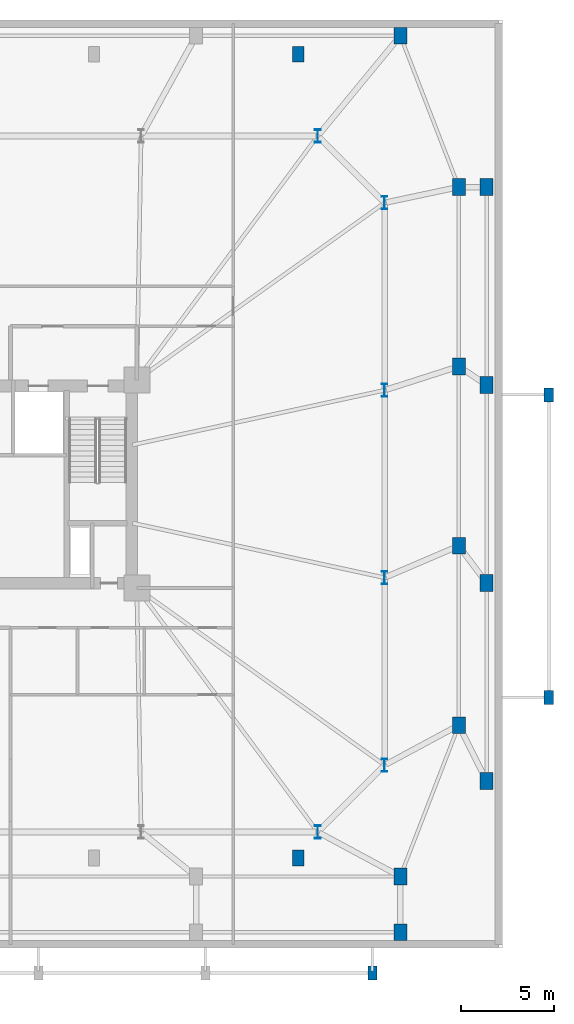
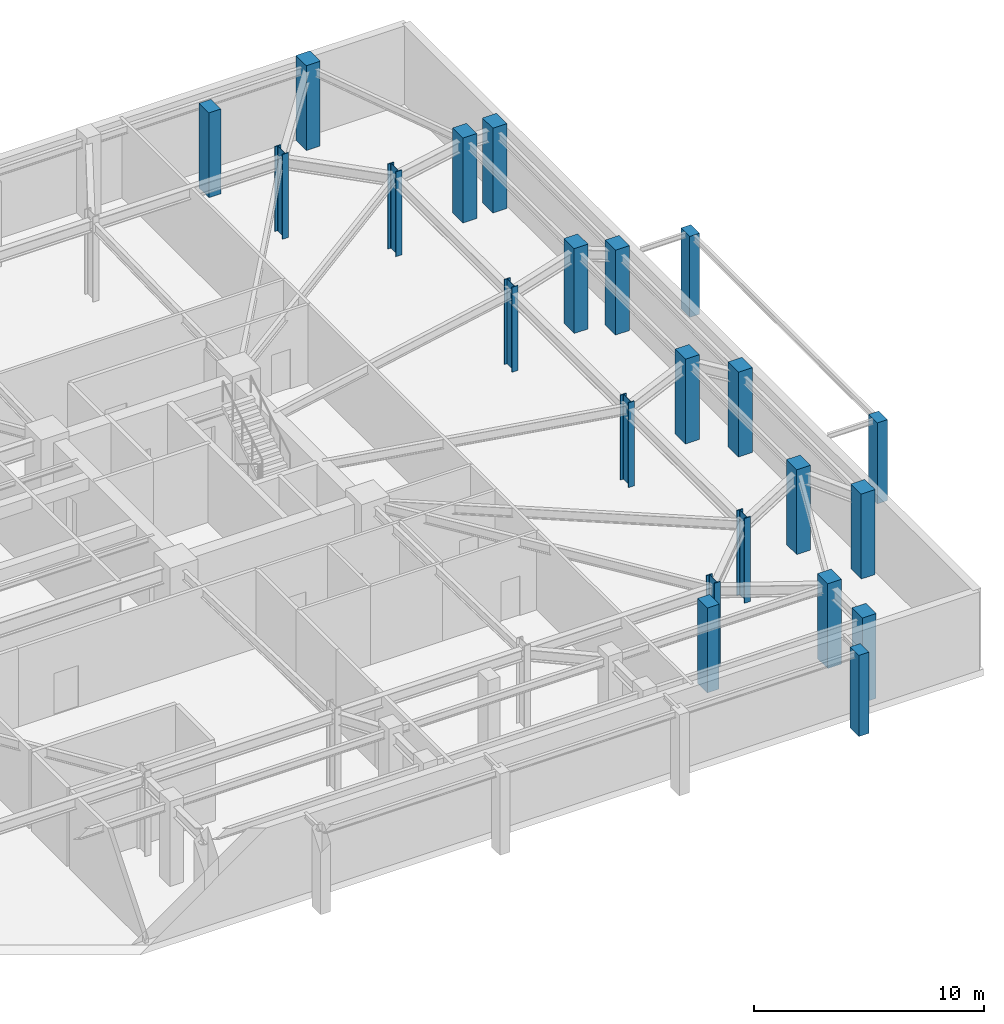
# One storey, part 4 of 14: 22 columns.
"""IFC4 building model written with IfcOpenShell, lengths in metres."""

from ifc_helpers import new_model, si_unit, direction, frame, origin, origin_2d, place, context, subcontext, project, spatial, rectangle, i_section, extrude, material, material_profile, profile_set, type_object, element, save


model = new_model("IFC4")

# Units and contexts
model_context = context("Model", 3, precision=1e-05, world=origin(), true_north=direction((0.0, 1.0)))
body_context = subcontext(model_context, "Body", "Model", "MODEL_VIEW")
ifc_project = project(units=[si_unit("LENGTHUNIT", "METRE"), si_unit("AREAUNIT", "SQUARE_METRE"), si_unit("VOLUMEUNIT", "CUBIC_METRE"), si_unit("PLANEANGLEUNIT", "RADIAN"), si_unit("MASSUNIT", "GRAM", prefix="KILO")], contexts=[model_context])

# Site, building, storey
site_placement = place(None, origin())
site = spatial("IfcSite", under=ifc_project, at=site_placement, CompositionType="ELEMENT")
building_placement = place(site_placement, origin())
building = spatial("IfcBuilding", under=site, at=building_placement, Name="Qobustan Lattice House", CompositionType="ELEMENT")
storey_placement = place(building_placement, frame((0.0, 0.0, -4.5)))
storey = spatial("IfcBuildingStorey", under=building, at=storey_placement, Name="B01", CompositionType="ELEMENT", Elevation=-4.5)

# Columns
ifc_material_1 = material(Name="Concrete C50/60", Category="concrete")
ifc_material_profile_1 = material_profile(ifc_material_1, rectangle(XDim=0.5, YDim=0.75, at=origin_2d()), Name="RC500x750")
ifc_profile_set_1 = profile_set([ifc_material_profile_1], Name="Concrete C50/60")
column_type_1 = type_object("IfcColumnType", Name="COL-PIER-500x750", PredefinedType="USERDEFINED", material=ifc_profile_set_1)
for number, where, z_axis, x_axis, name in (
    (1, (41.0, -11.5, 0.0), (0.0, 0.0, 1.0), (1.0, 0.0, 0.0), "B01 arrival portico pier E1"),
    (2, (41.0, 4.800048828125, 0.0), (0.0, 0.0, 1.0), (1.0, 0.0, 0.0), "B01 arrival portico pier E2"),
    (3, (31.5, -26.35009765625, 0.0), (0.0, 0.0, 1.0), (1.0, 0.0, 0.0), "B01 entrance canopy pier PR-08"),
):
    element("IfcColumn", number, at=place(storey_placement, frame(where, z_axis=z_axis, x_axis=x_axis)), inside=storey, type_object=column_type_1, Name=name, ObjectType="PIER", PredefinedType="USERDEFINED", context=body_context, shape_type="SweptSolid", body=[
        extrude(rectangle(XDim=0.5, YDim=0.75, at=origin_2d()), origin(), (0.0, 0.0, 1.0), 4.300048828125),
    ])
ifc_material_2 = material(Name="Concrete C50/60", Category="concrete")
ifc_material_profile_2 = material_profile(ifc_material_2, rectangle(XDim=0.60009765625, YDim=0.85009765625, at=origin_2d()), Name="RC600x850")
ifc_profile_set_2 = profile_set([ifc_material_profile_2], Name="Concrete C50/60")
column_type_2 = type_object("IfcColumnType", Name="COL-PIL-600x850", PredefinedType="PILASTER", material=ifc_profile_set_2)
for number, where, z_axis, x_axis, name in (
    (4, (27.5, -20.14990234375, 0.0), (0.0, 0.0, 1.0), (1.0, 0.0, 0.0), "B01 colonnade pilaster S4"),
    (5, (27.5, 23.14990234375, 0.0), (0.0, 0.0, 1.0), (1.0, 0.0, 0.0), "B01 colonnade pilaster N4"),
):
    element("IfcColumn", number, at=place(storey_placement, frame(where, z_axis=z_axis, x_axis=x_axis)), inside=storey, type_object=column_type_2, Name=name, PredefinedType="PILASTER", context=body_context, shape_type="SweptSolid", body=[
        extrude(rectangle(XDim=0.60009765625, YDim=0.85009765625, at=origin_2d()), origin(), (0.0, 0.0, 1.0), 4.5),
    ])
ifc_material_3 = material(Name="Concrete C50/60", Category="concrete")
ifc_material_profile_3 = material_profile(ifc_material_3, rectangle(XDim=0.699951171875, YDim=0.89990234375, at=origin_2d()), Name="RC700x900")
ifc_profile_set_3 = profile_set([ifc_material_profile_3], Name="Concrete C50/60")
column_type_3 = type_object("IfcColumnType", Name="COL-RC-700x900", PredefinedType="COLUMN", material=ifc_profile_set_3)
for number, where, z_axis, x_axis, name in (
    (6, (33.0, -21.14990234375, 0.0), (0.0, 0.0, 1.0), (1.0, 0.0, 0.0), "B01 podium column PS7"),
    (7, (33.0, 24.14990234375, 0.0), (0.0, 0.0, 1.0), (1.0, 0.0, 0.0), "B01 podium column PN7"),
    (8, (36.14990234375, -13.0, 0.0), (0.0, 0.0, 1.0), (1.0, 0.0, 0.0), "B01 podium column PE1"),
    (9, (36.14990234375, -3.333251953125, 0.0), (0.0, 0.0, 1.0), (1.0, 0.0, 0.0), "B01 podium column PE2"),
    (10, (36.14990234375, 6.33349609375, 0.0), (0.0, 0.0, 1.0), (1.0, 0.0, 0.0), "B01 podium column PE3"),
    (11, (36.14990234375, 16.0, 0.0), (0.0, 0.0, 1.0), (1.0, 0.0, 0.0), "B01 podium column PE4"),
    (12, (33.0, -24.14990234375, 0.0), (0.0, 0.0, 1.0), (1.0, 0.0, 0.0), "B01 lower podium perimeter column PSL7"),
    (13, (37.64990234375, -16.0, 0.0), (0.0, 0.0, 1.0), (1.0, 0.0, 0.0), "B01 lower podium perimeter column PEL1"),
    (14, (37.64990234375, -5.333251953125, 0.0), (0.0, 0.0, 1.0), (1.0, 0.0, 0.0), "B01 lower podium perimeter column PEL2"),
    (15, (37.64990234375, 5.33349609375, 0.0), (0.0, 0.0, 1.0), (1.0, 0.0, 0.0), "B01 lower podium perimeter column PEL3"),
    (16, (37.64990234375, 16.0, 0.0), (0.0, 0.0, 1.0), (1.0, 0.0, 0.0), "B01 lower podium perimeter column PEL4"),
):
    element("IfcColumn", number, at=place(storey_placement, frame(where, z_axis=z_axis, x_axis=x_axis)), inside=storey, type_object=column_type_3, Name=name, PredefinedType="COLUMN", context=body_context, shape_type="SweptSolid", body=[
        extrude(rectangle(XDim=0.699951171875, YDim=0.89990234375, at=origin_2d()), origin(), (0.0, 0.0, 1.0), 4.5),
    ])
ifc_material_4 = material(Name="Steel S460", Category="steel")
ifc_material_profile_4 = material_profile(ifc_material_4, i_section(OverallWidth=0.303955078125, OverallDepth=0.716064453125, WebThickness=0.02099609375, FlangeThickness=0.0400390625, FilletRadius=0.027099609375, at=origin_2d()), Name="HEM700")
ifc_profile_set_4 = profile_set([ifc_material_profile_4], Name="Steel S460")
column_type_4 = type_object("IfcColumnType", Name="COL-ST-HEM700", PredefinedType="COLUMN", material=ifc_profile_set_4)
for number, where, z_axis, x_axis, name in (
    (17, (28.550048828125, -18.75, 0.0), (0.0, 0.0, 1.0), (1.0, 0.0, 0.0), "B01 tower base column S7"),
    (18, (28.550048828125, 18.75, 0.0), (0.0, 0.0, 1.0), (1.0, 0.0, 0.0), "B01 tower base column N1"),
    (19, (32.14990234375, -15.14990234375, 0.0), (0.0, 0.0, 1.0), (1.0, 0.0, 0.0), "B01 tower base column E1"),
    (20, (32.14990234375, -5.050048828125, 0.0), (0.0, 0.0, 1.0), (1.0, 0.0, 0.0), "B01 tower base column E2"),
    (21, (32.14990234375, 5.050048828125, 0.0), (0.0, 0.0, 1.0), (1.0, 0.0, 0.0), "B01 tower base column E3"),
    (22, (32.14990234375, 15.14990234375, 0.0), (0.0, 0.0, 1.0), (1.0, 0.0, 0.0), "B01 tower base column E4"),
):
    element("IfcColumn", number, at=place(storey_placement, frame(where, z_axis=z_axis, x_axis=x_axis)), inside=storey, type_object=column_type_4, Name=name, PredefinedType="COLUMN", context=body_context, shape_type="SweptSolid", body=[
        extrude(i_section(OverallWidth=0.303955078125, OverallDepth=0.716064453125, WebThickness=0.02099609375, FlangeThickness=0.0400390625, FilletRadius=0.027099609375, at=origin_2d()), origin(), (0.0, 0.0, 1.0), 4.5),
    ])

save(model, "model.ifc")
